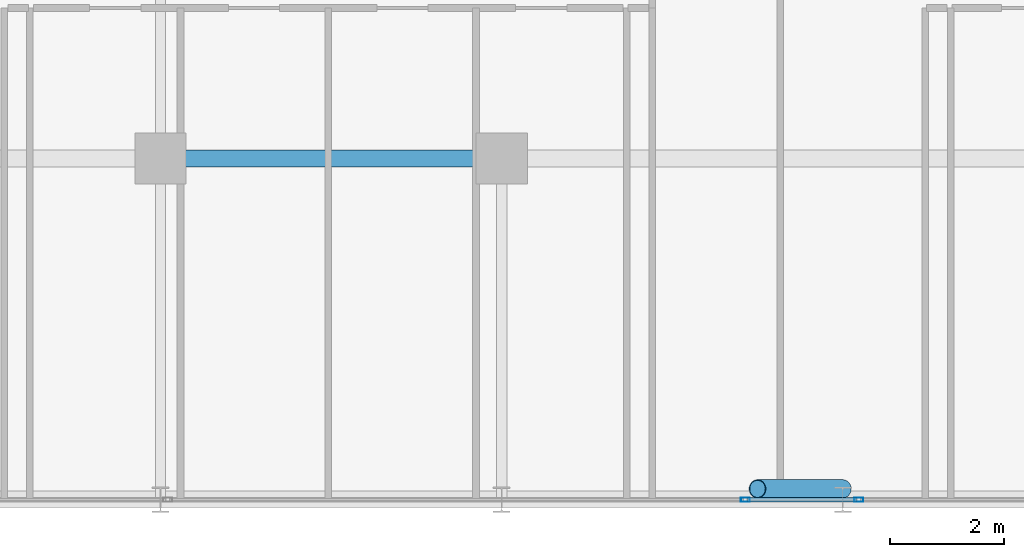
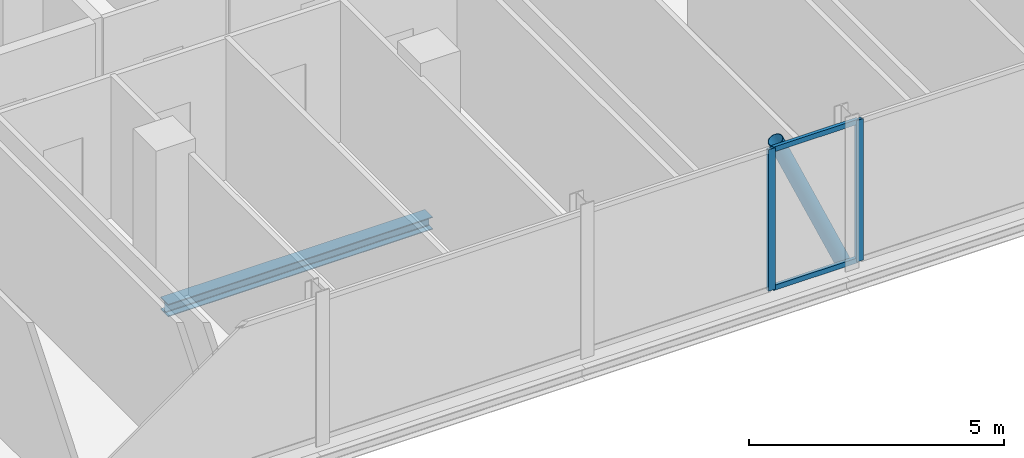
# One storey, part 10 of 29: 5 members, 1 beam, 2 elements without a shape of their own.
"""IFC4 building model written with IfcOpenShell, lengths in metres."""

from ifc_helpers import new_model, si_unit, direction, frame, origin, origin_2d, place, context, subcontext, project, spatial, hollow_rectangle, hollow_circle, i_section, extrude, material, layer, layer_set, material_profile, profile_set, type_object, element, aggregate, save


model = new_model("IFC4")

# Units and contexts
model_context = context("Model", 3, precision=1e-05, world=origin(), true_north=direction((0.0, 1.0)))
body_context = subcontext(model_context, "Body", "Model", "MODEL_VIEW")
ifc_project = project(units=[si_unit("LENGTHUNIT", "METRE"), si_unit("AREAUNIT", "SQUARE_METRE"), si_unit("VOLUMEUNIT", "CUBIC_METRE"), si_unit("PLANEANGLEUNIT", "RADIAN"), si_unit("MASSUNIT", "GRAM", prefix="KILO")], contexts=[model_context])

# Site, building, storey
site_placement = place(None, origin())
site = spatial("IfcSite", under=ifc_project, at=site_placement, CompositionType="ELEMENT")
building_placement = place(site_placement, origin())
building = spatial("IfcBuilding", under=site, at=building_placement, Name="Keshet Zoharim Tower", CompositionType="ELEMENT")
storey_placement = place(building_placement, frame((0.0, 0.0, 169.10009765625)))
storey = spatial("IfcBuildingStorey", under=building, at=storey_placement, Name="L41", CompositionType="ELEMENT", Elevation=169.10009765625)

# Beam
ifc_material_1 = material(Name="Steel S355", Category="steel")
ifc_material_profile_1 = material_profile(ifc_material_1, i_section(OverallWidth=0.300048828125, OverallDepth=0.300048828125, WebThickness=0.010986328125, FlangeThickness=0.01904296875, FilletRadius=0.027099609375, at=origin_2d()), Name="HEB300")
ifc_profile_set_1 = profile_set([ifc_material_profile_1], Name="Steel S355")
beam_type = type_object("IfcBeamType", Name="BM-PRI-HB300", PredefinedType="BEAM", material=ifc_profile_set_1)
beam_placement = place(storey_placement, frame((33.0, 6.699951171875, -0.460205078125), z_axis=(1.0, 0.0, 0.0), x_axis=(0.0, 1.0, 0.0)))
element("IfcBeam", 1, at=beam_placement, inside=storey, type_object=beam_type, Name="L41 Primary Girder X-007", PredefinedType="BEAM", context=body_context, shape_type="SweptSolid", body=[
    extrude(i_section(OverallWidth=0.300048828125, OverallDepth=0.300048828125, WebThickness=0.010986328125, FlangeThickness=0.01904296875, FilletRadius=0.027099609375, at=origin_2d()), origin(), (0.0, 0.0, 1.0), 6.0),
])

# Curtain wall, member
ifc_material_2 = material(Name="Aluminium 6063-T6", Category="aluminium")
ifc_layer = layer(ifc_material_2, 0.139892578125)
ifc_layer_set = layer_set([ifc_layer], Name="Aluminium 6063-T6")
curtain_wall_type = type_object("IfcCurtainWallType", Name="CW-SYS-05", PredefinedType="NOTDEFINED", material=ifc_layer_set)
curtain_wall_1_placement = place(storey_placement, origin())
curtain_wall_1 = element("IfcCurtainWall", 2, at=curtain_wall_1_placement, inside=storey, type_object=curtain_wall_type, Name="L41 Unitised Curtain Wall 06", PredefinedType="NOTDEFINED")
ifc_material_profile_2 = material_profile(ifc_material_2, hollow_rectangle(XDim=0.074951171875, YDim=0.159912109375, WallThickness=0.00390625, at=origin_2d()), Name="MUL-75x160")
ifc_profile_set_2 = profile_set([ifc_material_profile_2], Name="Aluminium 6063-T6")
member_type_1 = type_object("IfcMemberType", Name="CWM-M15", PredefinedType="MULLION", material=ifc_profile_set_2)
member_1_placement = place(storey_placement, frame((45.283203125, 0.699951171875, 0.0), z_axis=(0.0, 0.0, 1.0), x_axis=(0.0, -1.0, 0.0)))
member_1 = element("IfcMember", 3, at=member_1_placement, type_object=member_type_1, Name="CW-05 mullion 2", PredefinedType="MULLION", context=body_context, shape_type="SweptSolid", body=[
    extrude(hollow_rectangle(XDim=0.074951171875, YDim=0.159912109375, WallThickness=0.00390625, at=origin_2d()), origin(), (0.0, 0.0, 1.0), 3.389892578125),
])
aggregate(curtain_wall_1, [member_1])

# Curtain wall, members
curtain_wall_2_placement = place(storey_placement, origin())
curtain_wall_2 = element("IfcCurtainWall", 4, at=curtain_wall_2_placement, inside=storey, type_object=curtain_wall_type, Name="L41 Unitised Curtain Wall 06 Part 2", PredefinedType="NOTDEFINED")
member_2_placement = place(storey_placement, frame((43.286865234375, 0.699951171875, 0.0), z_axis=(0.0, 0.0, 1.0), x_axis=(0.0, -1.0, 0.0)))
member_2 = element("IfcMember", 5, at=member_2_placement, type_object=member_type_1, Name="CW-05 mullion 2", PredefinedType="MULLION", context=body_context, shape_type="SweptSolid", body=[
    extrude(hollow_rectangle(XDim=0.074951171875, YDim=0.159912109375, WallThickness=0.00390625, at=origin_2d()), origin(), (0.0, 0.0, 1.0), 3.389892578125),
])
ifc_material_profile_3 = material_profile(ifc_material_2, hollow_rectangle(XDim=0.074951171875, YDim=0.1201171875, WallThickness=0.00390625, at=origin_2d()), Name="TRN-75x120")
ifc_profile_set_3 = profile_set([ifc_material_profile_3], Name="Aluminium 6063-T6")
member_type_2 = type_object("IfcMemberType", Name="CWT-T12", PredefinedType="USERDEFINED", material=ifc_profile_set_3)
member_3_placement = place(storey_placement, frame((45.248046875, 0.699951171875, 0.034912109375), z_axis=(-1.0, 0.0, 0.0), x_axis=(0.0, -1.0, 0.0)))
member_3 = element("IfcMember", 6, at=member_3_placement, type_object=member_type_2, Name="CW-05 transom 1.1", ObjectType="TRANSOM", PredefinedType="USERDEFINED", context=body_context, shape_type="SweptSolid", body=[
    extrude(hollow_rectangle(XDim=0.074951171875, YDim=0.1201171875, WallThickness=0.00390625, at=origin_2d()), origin(), (0.0, 0.0, 1.0), 1.926025390625),
])
member_4_placement = place(storey_placement, frame((45.248046875, 0.699951171875, 3.35498046875), z_axis=(-1.0, 0.0, 0.0), x_axis=(0.0, -1.0, 0.0)))
member_4 = element("IfcMember", 7, at=member_4_placement, type_object=member_type_2, Name="CW-05 transom 1.2", ObjectType="TRANSOM", PredefinedType="USERDEFINED", context=body_context, shape_type="SweptSolid", body=[
    extrude(hollow_rectangle(XDim=0.074951171875, YDim=0.1201171875, WallThickness=0.00390625, at=origin_2d()), origin(), (0.0, 0.0, 1.0), 1.926025390625),
])
aggregate(curtain_wall_2, [member_2, member_3, member_4])

# Member
ifc_material_profile_4 = material_profile(ifc_material_1, hollow_circle(Radius=0.161865234375, WallThickness=0.012451171875, at=origin_2d()), Name="CHS323x12.5")
ifc_profile_set_4 = profile_set([ifc_material_profile_4], Name="Steel S355")
member_type_3 = type_object("IfcMemberType", Name="MB-BR-C323", PredefinedType="BRACE", material=ifc_profile_set_4)
member_5_placement = place(storey_placement, frame((45.0, 0.889892578125, 0.0), z_axis=(-0.40464689807, 0.0, 0.914473011019), x_axis=(0.0, -1.0, 0.0)))
element("IfcMember", 8, at=member_5_placement, inside=storey, type_object=member_type_3, Name="L41 Perimeter Tube Brace 03", PredefinedType="BRACE", context=body_context, shape_type="SweptSolid", body=[
    extrude(hollow_circle(Radius=0.161865234375, WallThickness=0.012451171875, at=origin_2d()), origin(), (0.0, 0.0, 1.0), 3.70703125),
])

save(model, "model.ifc")
